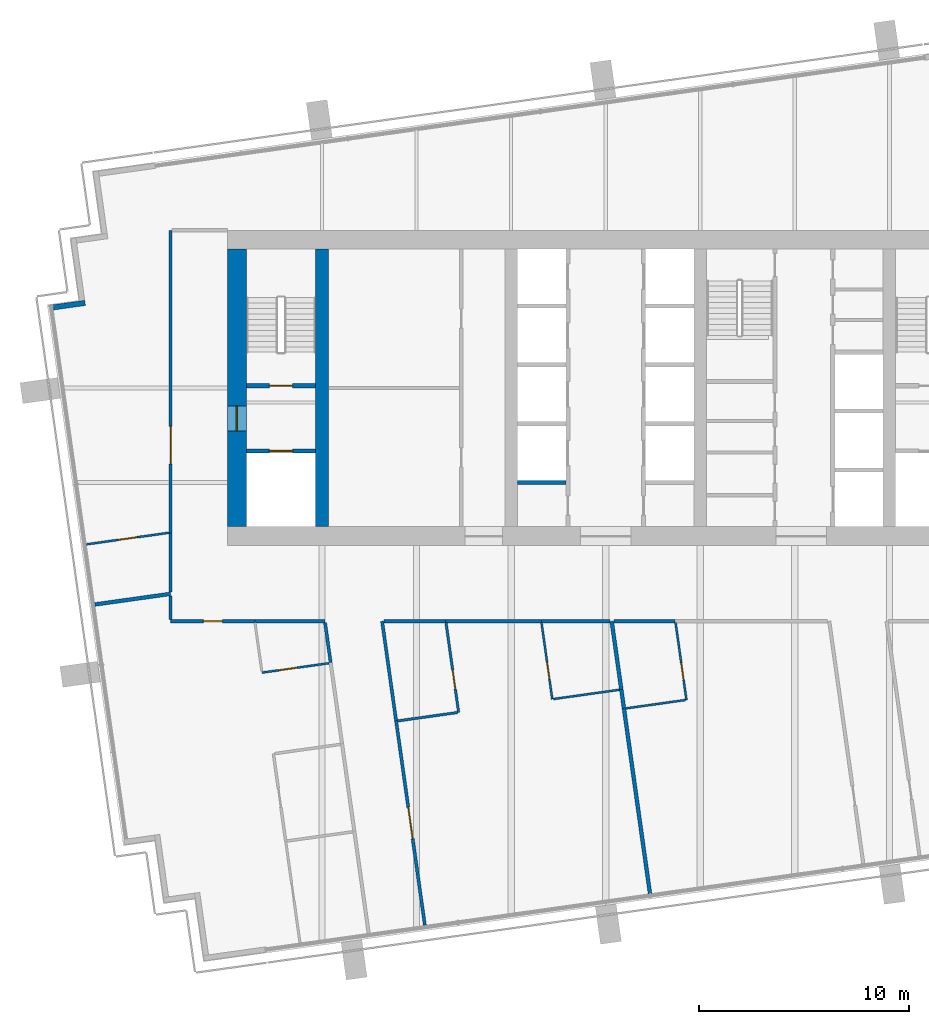
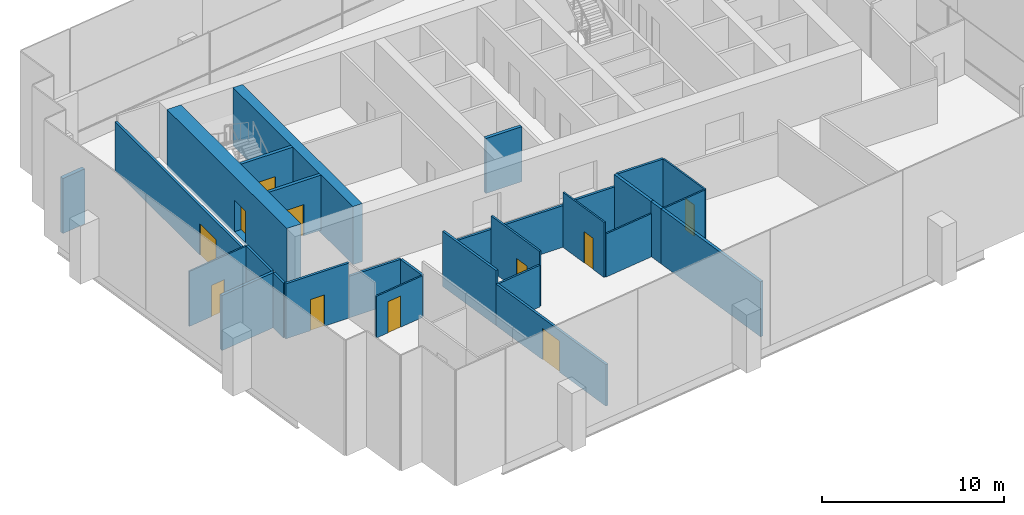
# One storey, part 8 of 15: 30 walls, 11 doors, 11 openings.
"""IFC4 building model written with IfcOpenShell, lengths in metres."""

from ifc_helpers import new_model, si_unit, direction, frame, frame_2d, origin, place, context, subcontext, project, spatial, rectangle, extrude, material, layer, layer_set, type_object, element, fill, save


model = new_model("IFC4")

# Units and contexts
model_context = context("Model", 3, precision=1e-05, world=origin(), true_north=direction((0.0, 1.0)))
body_context = subcontext(model_context, "Body", "Model", "MODEL_VIEW")
ifc_project = project(units=[si_unit("LENGTHUNIT", "METRE"), si_unit("AREAUNIT", "SQUARE_METRE"), si_unit("VOLUMEUNIT", "CUBIC_METRE"), si_unit("PLANEANGLEUNIT", "RADIAN"), si_unit("MASSUNIT", "GRAM", prefix="KILO")], contexts=[model_context])

# Site, building, storey
site_placement = place(None, origin())
site = spatial("IfcSite", under=ifc_project, at=site_placement, CompositionType="ELEMENT")
building_placement = place(site_placement, origin())
building = spatial("IfcBuilding", under=site, at=building_placement, Name="Rattan Terrace Tower", CompositionType="ELEMENT")
storey_placement = place(building_placement, frame((0.0, 0.0, 266.800048828125)))
storey = spatial("IfcBuildingStorey", under=building, at=storey_placement, Name="L61", CompositionType="ELEMENT", Elevation=266.800048828125)

# Wall, opening, door
ifc_material_1 = material(Name="Gypsum board partition")
ifc_layer_1 = layer(ifc_material_1, 0.199951171875)
ifc_layer_set_1 = layer_set([ifc_layer_1], Name="Core partition 200")
wall_type_1 = type_object("IfcWallType", Name="Core partition 200", PredefinedType="PARTITIONING", material=ifc_layer_set_1)
wall_1_placement = place(storey_placement, frame((-17.10009765625, -3.0, 0.0), z_axis=(0.0, 0.0, 1.0), x_axis=(1.0, 0.0, 0.0)))
wall_1 = element("IfcWall", 1, at=wall_1_placement, inside=storey, type_object=wall_type_1, Name="Fire-fighting lobby wall", PredefinedType="PARTITIONING", context=body_context, shape_type="SweptSolid", body=[
    extrude(rectangle(XDim=3.300048828125, YDim=0.199951171875, at=frame_2d((1.64990234375, 0.0))), origin(), (0.0, 0.0, 1.0), 3.699951171875),
])
opening_1_placement = place(wall_1_placement, frame((1.10009765625, 0.0, 0.0)))
opening_1 = element("IfcOpeningElement", 2, at=opening_1_placement, cuts=wall_1, Name="Opening L61-LD-FF1", PredefinedType="OPENING", context=body_context, shape_type="SweptSolid", body=[
    extrude(rectangle(XDim=1.10009765625, YDim=2.10009765625, at=frame_2d((0.550048828125, 1.050048828125))), frame((0.0, 0.110595703125, 0.0), z_axis=(0.0, -1.0, 0.0), x_axis=(1.0, 0.0, 0.0)), (0.0, 0.0, 1.0), 0.220947265625),
])
ifc_material_2 = material(Name="Brushed stainless landing door panel")
door_type_1 = type_object("IfcDoorType", Name="Core lift landing door 1100", OperationType="DOUBLE_DOOR_SLIDING", PredefinedType="DOOR", material=ifc_material_2)
door_1_placement = place(opening_1_placement, origin())
door_1 = element("IfcDoor", 3, at=door_1_placement, inside=storey, type_object=door_type_1, Name="Door L61-LD-FF1", OperationType="DOUBLE_DOOR_SLIDING", OverallHeight=2.10009765625, OverallWidth=1.10009765625, PredefinedType="DOOR", context=body_context, shape_type="SweptSolid", body=[
    extrude(rectangle(XDim=1.10009765625, YDim=2.10009765625, at=frame_2d((0.550048828125, 1.050048828125))), frame((0.0, 0.02490234375, 0.0), z_axis=(0.0, -1.0, 0.0), x_axis=(1.0, 0.0, 0.0)), (0.0, 0.0, 1.0), 0.050048828125),
])
fill(opening_1, door_1)

wall_2_placement = place(storey_placement, frame((-17.10009765625, 0.10009765625, 0.0), z_axis=(0.0, 0.0, 1.0), x_axis=(1.0, 0.0, 0.0)))
wall_2 = element("IfcWall", 4, at=wall_2_placement, inside=storey, type_object=wall_type_1, Name="Stair enclosure wall", PredefinedType="PARTITIONING", context=body_context, shape_type="SweptSolid", body=[
    extrude(rectangle(XDim=3.300048828125, YDim=0.199951171875, at=frame_2d((1.64990234375, 0.0))), origin(), (0.0, 0.0, 1.0), 3.699951171875),
])
opening_2_placement = place(wall_2_placement, frame((1.10009765625, 0.0, 0.0)))
opening_2 = element("IfcOpeningElement", 5, at=opening_2_placement, cuts=wall_2, Name="Opening L61-D002", PredefinedType="OPENING", context=body_context, shape_type="SweptSolid", body=[
    extrude(rectangle(XDim=1.10009765625, YDim=2.10009765625, at=frame_2d((0.550048828125, 1.050048828125))), frame((0.0, 0.110595703125, 0.0), z_axis=(0.0, -1.0, 0.0), x_axis=(1.0, 0.0, 0.0)), (0.0, 0.0, 1.0), 0.220947265625),
])
ifc_material_3 = material(Name="Hollow-metal fire door leaf")
door_type_2 = type_object("IfcDoorType", Name="Core stair door 1100", OperationType="NOTDEFINED", PredefinedType="DOOR", material=ifc_material_3)
door_2_placement = place(opening_2_placement, origin())
door_2 = element("IfcDoor", 6, at=door_2_placement, inside=storey, type_object=door_type_2, Name="Door L61-D002", OperationType="SINGLE_SWING_RIGHT", OverallHeight=2.10009765625, OverallWidth=1.10009765625, PredefinedType="DOOR", context=body_context, shape_type="SweptSolid", body=[
    extrude(rectangle(XDim=1.10009765625, YDim=2.10009765625, at=frame_2d((0.550048828125, 1.050048828125))), frame((0.0, 0.02490234375, 0.0), z_axis=(0.0, -1.0, 0.0), x_axis=(1.0, 0.0, 0.0)), (0.0, 0.0, 1.0), 0.050048828125),
])
fill(opening_2, door_2)

ifc_material_4 = material(Name="Concrete C50/60", Category="concrete")
ifc_layer_2 = layer(ifc_material_4, 0.89990234375)
ifc_layer_set_2 = layer_set([ifc_layer_2], Name="Core ring wall 900 C50/60")
wall_type_2 = type_object("IfcWallType", Name="Core ring wall 900 C50/60", PredefinedType="SHEAR", material=ifc_layer_set_2)
wall_3_placement = place(storey_placement, frame((-17.550048828125, -6.60009765625, -0.199951171875), z_axis=(0.0, 0.0, 1.0), x_axis=(0.0, 1.0, 0.0)))
wall_3 = element("IfcWall", 7, at=wall_3_placement, inside=storey, type_object=wall_type_2, Name="Rear core wall west", PredefinedType="SHEAR", context=body_context, shape_type="SweptSolid", body=[
    extrude(rectangle(XDim=13.2001953125, YDim=0.89990234375, at=frame_2d((6.60009765625, 0.0))), origin(), (0.0, 0.0, 1.0), 3.89990234375),
])
opening_3_placement = place(wall_3_placement, frame((4.550048828125, 0.0, 0.199951171875)))
opening_3 = element("IfcOpeningElement", 8, at=opening_3_placement, cuts=wall_3, Name="Opening L61-D001", PredefinedType="OPENING", context=body_context, shape_type="SweptSolid", body=[
    extrude(rectangle(XDim=1.199951171875, YDim=2.10009765625, at=frame_2d((0.60009765625, 1.050048828125))), frame((0.0, 0.46044921875, 0.0), z_axis=(0.0, -1.0, 0.0), x_axis=(1.0, 0.0, 0.0)), (0.0, 0.0, 1.0), 0.9208984375),
])
ifc_material_5 = material(Name="Hollow-metal fire door leaf")
door_type_3 = type_object("IfcDoorType", Name="Core fire-fighting lobby door 1200", OperationType="NOTDEFINED", PredefinedType="DOOR", material=ifc_material_5)
door_3_placement = place(opening_3_placement, origin())
door_3 = element("IfcDoor", 9, at=door_3_placement, inside=storey, type_object=door_type_3, Name="Door L61-D001", OperationType="SINGLE_SWING_LEFT", OverallHeight=2.10009765625, OverallWidth=1.199951171875, PredefinedType="DOOR", context=body_context, shape_type="SweptSolid", body=[
    extrude(rectangle(XDim=1.199951171875, YDim=2.10009765625, at=frame_2d((0.60009765625, 1.050048828125))), frame((0.0, 0.02490234375, 0.0), z_axis=(0.0, -1.0, 0.0), x_axis=(1.0, 0.0, 0.0)), (0.0, 0.0, 1.0), 0.050048828125),
])
fill(opening_3, door_3)

# Walls
ifc_material_6 = material(Name="Concrete C50/60", Category="concrete")
ifc_layer_3 = layer(ifc_material_6, 0.60009765625)
ifc_layer_set_3 = layer_set([ifc_layer_3], Name="Core spine wall 600 C50/60")
wall_type_3 = type_object("IfcWallType", Name="Core spine wall 600 C50/60", PredefinedType="SHEAR", material=ifc_layer_set_3)
wall_4_placement = place(storey_placement, frame((-13.5, -6.60009765625, -0.199951171875), z_axis=(0.0, 0.0, 1.0), x_axis=(0.0, 1.0, 0.0)))
element("IfcWall", 10, at=wall_4_placement, inside=storey, type_object=wall_type_3, Name="Core spine wall 1", PredefinedType="SHEAR", context=body_context, shape_type="SweptSolid", body=[
    extrude(rectangle(XDim=13.2001953125, YDim=0.60009765625, at=frame_2d((6.60009765625, 0.0))), origin(), (0.0, 0.0, 1.0), 3.89990234375),
])
ifc_material_7 = material(Name="Insulated aluminium-clad stud wall", Category="aluminium")
ifc_layer_4 = layer(ifc_material_7, 0.25)
ifc_layer_set_4 = layer_set([ifc_layer_4], Name="Facade Riser Wall 250")
wall_type_4 = type_object("IfcWallType", Name="Facade Riser Wall 250", PredefinedType="SOLIDWALL", material=ifc_layer_set_4)
wall_5_placement = place(storey_placement, frame((-24.769287109375, 4.045654296875, 0.0), z_axis=(0.0, 0.0, 1.0), x_axis=(-0.990260716096, -0.139225407725, 0.0)))
element("IfcWall", 11, at=wall_5_placement, inside=storey, type_object=wall_type_4, Name="Riser wall L61-15", PredefinedType="SOLIDWALL", context=body_context, shape_type="SweptSolid", body=[
    extrude(rectangle(XDim=1.525634765625, YDim=0.25, at=frame_2d((0.7626953125, 0.0))), origin(), (0.0, 0.0, 1.0), 3.699951171875),
])
ifc_material_8 = material(Name="Double steel stud acoustic partition, gypsum board, mineral wool, fire rated", Category="steel")
ifc_layer_5 = layer(ifc_material_8, 0.179931640625)
ifc_layer_set_5 = layer_set([ifc_layer_5], Name="Floors Acoustic Party Wall 180")
wall_type_5 = type_object("IfcWallType", Name="Floors Acoustic Party Wall 180", PredefinedType="PARTITIONING", material=ifc_layer_set_5)
wall_6_placement = place(storey_placement, frame((-24.303955078125, -10.302978515625, 0.0), z_axis=(0.0, 0.0, 1.0), x_axis=(0.990292681193, 0.138997861769, 0.0)))
element("IfcWall", 12, at=wall_6_placement, inside=storey, type_object=wall_type_5, Name="pt-L61-031", PredefinedType="PARTITIONING", context=body_context, shape_type="SweptSolid", body=[
    extrude(rectangle(XDim=3.639404296875, YDim=0.179931640625, at=frame_2d((1.81982421875, 0.0))), origin(), (0.0, 0.0, 1.0), 3.699951171875),
])
wall_7_placement = place(storey_placement, frame((0.867919921875, -15.239013671875, 0.0), z_axis=(0.0, 0.0, 1.0), x_axis=(0.139233409815, -0.990259591012, 0.0)))
element("IfcWall", 13, at=wall_7_placement, inside=storey, type_object=wall_type_5, Name="pt-L61-041", PredefinedType="PARTITIONING", context=body_context, shape_type="SweptSolid", body=[
    extrude(rectangle(XDim=8.90576171875, YDim=0.179931640625, at=frame_2d((4.452880859375, 0.0))), origin(), (0.0, 0.0, 1.0), 3.699951171875),
])
wall_8_placement = place(storey_placement, frame((0.742919921875, -14.34912109375, 0.0), z_axis=(0.0, 0.0, 1.0), x_axis=(0.139100809785, -0.990278225913, 0.0)))
element("IfcWall", 14, at=wall_8_placement, inside=storey, type_object=wall_type_5, Name="pt-L61-042", PredefinedType="PARTITIONING", context=body_context, shape_type="SweptSolid", body=[
    extrude(rectangle(XDim=0.898681640625, YDim=0.179931640625, at=frame_2d((0.44921875, 0.0))), origin(), (0.0, 0.0, 1.0), 3.699951171875),
])
wall_9_placement = place(storey_placement, frame((0.287109375, -11.10009765625, 0.0), z_axis=(0.0, 0.0, 1.0), x_axis=(0.13898222456, -0.990294875911, 0.0)))
element("IfcWall", 15, at=wall_9_placement, inside=storey, type_object=wall_type_5, Name="pt-L61-043", PredefinedType="PARTITIONING", context=body_context, shape_type="SweptSolid", body=[
    extrude(rectangle(XDim=3.279541015625, YDim=0.179931640625, at=frame_2d((1.6396484375, 0.0))), origin(), (0.0, 0.0, 1.0), 3.699951171875),
])

# Wall, opening, door
ifc_material_9 = material(Name="Gypsum board partition on steel studs", Category="steel")
ifc_layer_6 = layer(ifc_material_9, 0.10009765625)
ifc_layer_set_6 = layer_set([ifc_layer_6], Name="Floors Partition 100")
wall_type_6 = type_object("IfcWallType", Name="Floors Partition 100", PredefinedType="PARTITIONING", material=ifc_layer_set_6)
wall_10_placement = place(storey_placement, frame((-16.35205078125, -13.544921875, 0.0), z_axis=(0.0, 0.0, 1.0), x_axis=(0.990264894561, 0.13919568456, 0.0)))
wall_10 = element("IfcWall", 16, at=wall_10_placement, inside=storey, type_object=wall_type_6, Name="pt-L61-030", PredefinedType="PARTITIONING", context=body_context, shape_type="SweptSolid", body=[
    extrude(rectangle(XDim=3.2255859375, YDim=0.10009765625, at=frame_2d((1.61279296875, 0.0))), origin(), (0.0, 0.0, 1.0), 2.800048828125),
])
opening_4_placement = place(wall_10_placement, frame((0.798095703125, 0.0, 0.0)))
opening_4 = element("IfcOpeningElement", 17, at=opening_4_placement, cuts=wall_10, Name="Opening L61-D103", PredefinedType="OPENING", context=body_context, shape_type="SweptSolid", body=[
    extrude(rectangle(XDim=0.89990234375, YDim=2.10009765625, at=frame_2d((0.449951171875, 1.050048828125))), frame((0.0, 0.060546875, 0.0), z_axis=(0.0, -1.0, 0.0), x_axis=(1.0, 0.0, 0.0)), (0.0, 0.0, 1.0), 0.12109375),
])
ifc_material_10 = material(Name="Solid core timber door, painted", Category="wood")
door_type_4 = type_object("IfcDoorType", Name="Floors Door 900x2100", OperationType="NOTDEFINED", PredefinedType="DOOR", material=ifc_material_10)
door_4_placement = place(opening_4_placement, origin())
door_4 = element("IfcDoor", 18, at=door_4_placement, inside=storey, type_object=door_type_4, Name="d-L61-103", OperationType="SINGLE_SWING_LEFT", OverallHeight=2.10009765625, OverallWidth=0.89990234375, PredefinedType="DOOR", context=body_context, shape_type="SweptSolid", body=[
    extrude(rectangle(XDim=0.89990234375, YDim=2.10009765625, at=frame_2d((0.449951171875, 1.050048828125))), frame((0.0, 0.02490234375, 0.0), z_axis=(0.0, -1.0, 0.0), x_axis=(1.0, 0.0, 0.0)), (0.0, 0.0, 1.0), 0.050048828125),
])
fill(opening_4, door_4)

wall_11_placement = place(storey_placement, frame((-20.76806640625, -6.889892578125, 0.0), z_axis=(0.0, 0.0, 1.0), x_axis=(-0.990313393589, -0.138850215981, 0.0)))
wall_11 = element("IfcWall", 19, at=wall_11_placement, inside=storey, type_object=wall_type_6, Name="pt-L61-035", PredefinedType="PARTITIONING", context=body_context, shape_type="SweptSolid", body=[
    extrude(rectangle(XDim=3.9755859375, YDim=0.10009765625, at=frame_2d((1.98779296875, 0.0))), origin(), (0.0, 0.0, 1.0), 3.699951171875),
])
opening_5_placement = place(wall_11_placement, frame((1.5380859375, 0.0, 0.0)))
opening_5 = element("IfcOpeningElement", 20, at=opening_5_placement, cuts=wall_11, Name="Opening L61-D107", PredefinedType="OPENING", context=body_context, shape_type="SweptSolid", body=[
    extrude(rectangle(XDim=0.89990234375, YDim=2.10009765625, at=frame_2d((0.449951171875, 1.050048828125))), frame((0.0, 0.060546875, 0.0), z_axis=(0.0, -1.0, 0.0), x_axis=(1.0, 0.0, 0.0)), (0.0, 0.0, 1.0), 0.12109375),
])
door_5_placement = place(opening_5_placement, origin())
door_5 = element("IfcDoor", 21, at=door_5_placement, inside=storey, type_object=door_type_4, Name="d-L61-107", OperationType="SINGLE_SWING_RIGHT", OverallHeight=2.10009765625, OverallWidth=0.89990234375, PredefinedType="DOOR", context=body_context, shape_type="SweptSolid", body=[
    extrude(rectangle(XDim=0.89990234375, YDim=2.10009765625, at=frame_2d((0.449951171875, 1.050048828125))), frame((0.0, 0.02490234375, 0.0), z_axis=(0.0, -1.0, 0.0), x_axis=(1.0, 0.0, 0.0)), (0.0, 0.0, 1.0), 0.050048828125),
])
fill(opening_5, door_5)

wall_12_placement = place(storey_placement, frame((-3.052978515625, -11.16796875, 0.0), z_axis=(0.0, 0.0, 1.0), x_axis=(0.139199908751, -0.990264300782, 0.0)))
wall_12 = element("IfcWall", 22, at=wall_12_placement, inside=storey, type_object=wall_type_6, Name="pt-L61-039", PredefinedType="PARTITIONING", context=body_context, shape_type="SweptSolid", body=[
    extrude(rectangle(XDim=3.677978515625, YDim=0.10009765625, at=frame_2d((1.8388671875, 0.0))), origin(), (0.0, 0.0, 1.0), 3.699951171875),
])
opening_6_placement = place(wall_12_placement, frame((1.9150390625, 0.0, 0.0)))
opening_6 = element("IfcOpeningElement", 23, at=opening_6_placement, cuts=wall_12, Name="Opening L61-D111", PredefinedType="OPENING", context=body_context, shape_type="SweptSolid", body=[
    extrude(rectangle(XDim=0.800048828125, YDim=2.10009765625, at=frame_2d((0.39990234375, 1.050048828125))), frame((0.0, 0.060546875, 0.0), z_axis=(0.0, -1.0, 0.0), x_axis=(1.0, 0.0, 0.0)), (0.0, 0.0, 1.0), 0.12109375),
])
ifc_material_11 = material(Name="Solid core timber door, painted", Category="wood")
door_type_5 = type_object("IfcDoorType", Name="Floors Store Door 800x2100", OperationType="NOTDEFINED", PredefinedType="DOOR", material=ifc_material_11)
door_6_placement = place(opening_6_placement, origin())
door_6 = element("IfcDoor", 24, at=door_6_placement, inside=storey, type_object=door_type_5, Name="d-L61-111", OperationType="SINGLE_SWING_RIGHT", OverallHeight=2.10009765625, OverallWidth=0.800048828125, PredefinedType="DOOR", context=body_context, shape_type="SweptSolid", body=[
    extrude(rectangle(XDim=0.800048828125, YDim=2.10009765625, at=frame_2d((0.39990234375, 1.050048828125))), frame((0.0, 0.02490234375, 0.0), z_axis=(0.0, -1.0, 0.0), x_axis=(1.0, 0.0, 0.0)), (0.0, 0.0, 1.0), 0.050048828125),
])
fill(opening_6, door_6)

# Walls
wall_13_placement = place(storey_placement, frame((-2.491943359375, -14.802978515625, 0.0), z_axis=(0.0, 0.0, 1.0), x_axis=(0.990278754473, 0.139097046841, 0.0)))
element("IfcWall", 25, at=wall_13_placement, inside=storey, type_object=wall_type_6, Name="pt-L61-040", PredefinedType="PARTITIONING", context=body_context, shape_type="SweptSolid", body=[
    extrude(rectangle(XDim=3.1767578125, YDim=0.10009765625, at=frame_2d((1.58837890625, 0.0))), origin(), (0.0, 0.0, 1.0), 2.89990234375),
])
wall_14_placement = place(storey_placement, frame((0.9599609375, -15.2470703125, 0.0), z_axis=(0.0, 0.0, 1.0), x_axis=(0.990271288443, 0.139150189669, 0.0)))
element("IfcWall", 26, at=wall_14_placement, inside=storey, type_object=wall_type_6, Name="pt-L61-044", PredefinedType="PARTITIONING", context=body_context, shape_type="SweptSolid", body=[
    extrude(rectangle(XDim=2.85986328125, YDim=0.10009765625, at=frame_2d((1.429931640625, 0.0))), origin(), (0.0, 0.0, 1.0), 3.699951171875),
])

# Wall, opening, door
wall_15_placement = place(storey_placement, frame((3.842041015625, -14.842041015625, 0.0), z_axis=(0.0, 0.0, 1.0), x_axis=(-0.139108634852, 0.990277126722, 0.0)))
wall_15 = element("IfcWall", 27, at=wall_15_placement, inside=storey, type_object=wall_type_6, Name="pt-L61-045", PredefinedType="PARTITIONING", context=body_context, shape_type="SweptSolid", body=[
    extrude(rectangle(XDim=3.710205078125, YDim=0.10009765625, at=frame_2d((1.85498046875, 0.0))), origin(), (0.0, 0.0, 1.0), 3.699951171875),
])
opening_7_placement = place(wall_15_placement, frame((0.972900390625, 0.0, 0.0)))
opening_7 = element("IfcOpeningElement", 28, at=opening_7_placement, cuts=wall_15, Name="Opening L61-D113", PredefinedType="OPENING", context=body_context, shape_type="SweptSolid", body=[
    extrude(rectangle(XDim=0.800048828125, YDim=2.10009765625, at=frame_2d((0.39990234375, 1.050048828125))), frame((0.0, 0.060546875, 0.0), z_axis=(0.0, -1.0, 0.0), x_axis=(1.0, 0.0, 0.0)), (0.0, 0.0, 1.0), 0.12109375),
])
door_7_placement = place(opening_7_placement, origin())
door_7 = element("IfcDoor", 29, at=door_7_placement, inside=storey, type_object=door_type_5, Name="d-L61-113", OperationType="SINGLE_SWING_LEFT", OverallHeight=2.10009765625, OverallWidth=0.800048828125, PredefinedType="DOOR", context=body_context, shape_type="SweptSolid", body=[
    extrude(rectangle(XDim=0.800048828125, YDim=2.10009765625, at=frame_2d((0.39990234375, 1.050048828125))), frame((0.0, 0.02490234375, 0.0), z_axis=(0.0, -1.0, 0.0), x_axis=(1.0, 0.0, 0.0)), (0.0, 0.0, 1.0), 0.050048828125),
])
fill(opening_7, door_7)

# Wall
ifc_material_12 = material(Name="Gypsum board partition on steel studs, fire rated", Category="steel")
ifc_layer_7 = layer(ifc_material_12, 0.14990234375)
ifc_layer_set_7 = layer_set([ifc_layer_7], Name="Floors Tenancy Wall 150")
wall_type_7 = type_object("IfcWallType", Name="Floors Tenancy Wall 150", PredefinedType="PARTITIONING", material=ifc_layer_set_7)
wall_16_placement = place(storey_placement, frame((-20.699951171875, -11.02490234375, 0.0), z_axis=(0.0, 0.0, 1.0), x_axis=(0.0, 1.0, 0.0)))
element("IfcWall", 30, at=wall_16_placement, inside=storey, type_object=wall_type_7, Name="pt-L61-001", PredefinedType="PARTITIONING", context=body_context, shape_type="SweptSolid", body=[
    extrude(rectangle(XDim=1.126953125, YDim=0.14990234375, at=frame_2d((0.5634765625, 0.0))), origin(), (0.0, 0.0, 1.0), 3.699951171875),
])

# Wall, opening, door
wall_17_placement = place(storey_placement, frame((-16.676025390625, -11.10009765625, 0.0), z_axis=(0.0, 0.0, 1.0), x_axis=(-1.0, 0.0, 0.0)))
wall_17 = element("IfcWall", 31, at=wall_17_placement, inside=storey, type_object=wall_type_7, Name="pt-L61-002", PredefinedType="PARTITIONING", context=body_context, shape_type="SweptSolid", body=[
    extrude(rectangle(XDim=4.02392578125, YDim=0.14990234375, at=frame_2d((2.011962890625, 0.0))), origin(), (0.0, 0.0, 1.0), 3.699951171875),
])
opening_8_placement = place(wall_17_placement, frame((1.56201171875, 0.0, 0.0)))
opening_8 = element("IfcOpeningElement", 32, at=opening_8_placement, cuts=wall_17, Name="Opening L61-D100", PredefinedType="OPENING", context=body_context, shape_type="SweptSolid", body=[
    extrude(rectangle(XDim=0.89990234375, YDim=2.10009765625, at=frame_2d((0.449951171875, 1.050048828125))), frame((0.0, 0.08544921875, 0.0), z_axis=(0.0, -1.0, 0.0), x_axis=(1.0, 0.0, 0.0)), (0.0, 0.0, 1.0), 0.1708984375),
])
ifc_material_13 = material(Name="Steel fire door set", Category="steel")
door_type_6 = type_object("IfcDoorType", Name="Floors Fire Door FD30S 900x2100", OperationType="NOTDEFINED", PredefinedType="DOOR", material=ifc_material_13)
door_8_placement = place(opening_8_placement, origin())
door_8 = element("IfcDoor", 33, at=door_8_placement, inside=storey, type_object=door_type_6, Name="d-L61-100", OperationType="SINGLE_SWING_LEFT", OverallHeight=2.10009765625, OverallWidth=0.89990234375, PredefinedType="DOOR", context=body_context, shape_type="SweptSolid", body=[
    extrude(rectangle(XDim=0.89990234375, YDim=2.10009765625, at=frame_2d((0.449951171875, 1.050048828125))), frame((0.0, 0.02490234375, 0.0), z_axis=(0.0, -1.0, 0.0), x_axis=(1.0, 0.0, 0.0)), (0.0, 0.0, 1.0), 0.050048828125),
])
fill(opening_8, door_8)

# Walls
wall_18_placement = place(storey_placement, frame((-13.363037109375, -11.10009765625, 0.0), z_axis=(0.0, 0.0, 1.0), x_axis=(-1.0, 0.0, 0.0)))
element("IfcWall", 34, at=wall_18_placement, inside=storey, type_object=wall_type_7, Name="pt-L61-006", PredefinedType="PARTITIONING", context=body_context, shape_type="SweptSolid", body=[
    extrude(rectangle(XDim=3.31298828125, YDim=0.14990234375, at=frame_2d((1.656494140625, 0.0))), origin(), (0.0, 0.0, 1.0), 2.800048828125),
])
wall_19_placement = place(storey_placement, frame((-13.0859375, -13.06494140625, 0.0), z_axis=(0.0, 0.0, 1.0), x_axis=(-0.139292033523, 0.990251346577, 0.0)))
element("IfcWall", 35, at=wall_19_placement, inside=storey, type_object=wall_type_7, Name="pt-L61-007", PredefinedType="PARTITIONING", context=body_context, shape_type="SweptSolid", body=[
    extrude(rectangle(XDim=1.910400390625, YDim=0.14990234375, at=frame_2d((0.955078125, 0.0))), origin(), (0.0, 0.0, 1.0), 2.800048828125),
])

# Wall, opening, door
wall_20_placement = place(storey_placement, frame((-20.699951171875, -6.89990234375, 0.0), z_axis=(0.0, 0.0, 1.0), x_axis=(0.0, 1.0, 0.0)))
wall_20 = element("IfcWall", 36, at=wall_20_placement, inside=storey, type_object=wall_type_7, Name="pt-L61-012", PredefinedType="PARTITIONING", context=body_context, shape_type="SweptSolid", body=[
    extrude(rectangle(XDim=14.39990234375, YDim=0.14990234375, at=frame_2d((7.199951171875, 0.0))), origin(), (0.0, 0.0, 1.0), 3.300048828125),
])
opening_9_placement = place(wall_20_placement, frame((3.27490234375, 0.0, 0.0)))
opening_9 = element("IfcOpeningElement", 37, at=opening_9_placement, cuts=wall_20, Name="Opening L61-D106", PredefinedType="OPENING", context=body_context, shape_type="SweptSolid", body=[
    extrude(rectangle(XDim=1.800048828125, YDim=2.10009765625, at=frame_2d((0.89990234375, 1.050048828125))), frame((0.0, 0.08544921875, 0.0), z_axis=(0.0, -1.0, 0.0), x_axis=(1.0, 0.0, 0.0)), (0.0, 0.0, 1.0), 0.1708984375),
])
ifc_material_14 = material(Name="Steel fire door set", Category="steel")
door_type_7 = type_object("IfcDoorType", Name="Floors Fire Door Pair FD30S 1800x2100", OperationType="NOTDEFINED", PredefinedType="DOOR", material=ifc_material_14)
door_9_placement = place(opening_9_placement, origin())
door_9 = element("IfcDoor", 38, at=door_9_placement, inside=storey, type_object=door_type_7, Name="d-L61-106", OperationType="DOUBLE_DOOR_SINGLE_SWING", OverallHeight=2.10009765625, OverallWidth=1.800048828125, PredefinedType="DOOR", context=body_context, shape_type="SweptSolid", body=[
    extrude(rectangle(XDim=1.800048828125, YDim=2.10009765625, at=frame_2d((0.89990234375, 1.050048828125))), frame((0.0, 0.02490234375, 0.0), z_axis=(0.0, -1.0, 0.0), x_axis=(1.0, 0.0, 0.0)), (0.0, 0.0, 1.0), 0.050048828125),
])
fill(opening_9, door_9)

# Wall
wall_21_placement = place(storey_placement, frame((-20.698974609375, -9.7080078125, 0.0), z_axis=(0.0, 0.0, 1.0), x_axis=(0.0, 1.0, 0.0)))
element("IfcWall", 39, at=wall_21_placement, inside=storey, type_object=wall_type_7, Name="pt-L61-016", PredefinedType="PARTITIONING", context=body_context, shape_type="SweptSolid", body=[
    extrude(rectangle(XDim=2.80810546875, YDim=0.14990234375, at=frame_2d((1.404052734375, 0.0))), origin(), (0.0, 0.0, 1.0), 3.699951171875),
])

# Wall, opening, door
wall_22_placement = place(storey_placement, frame((-9.971923828125, -15.8330078125, 0.0), z_axis=(0.0, 0.0, 1.0), x_axis=(0.139205343882, -0.990263536759, 0.0)))
wall_22 = element("IfcWall", 40, at=wall_22_placement, inside=storey, type_object=wall_type_7, Name="pt-L61-018", PredefinedType="PARTITIONING", context=body_context, shape_type="SweptSolid", body=[
    extrude(rectangle(XDim=9.82666015625, YDim=0.14990234375, at=frame_2d((4.913330078125, 0.0))), origin(), (0.0, 0.0, 1.0), 2.800048828125),
])
opening_10_placement = place(wall_22_placement, frame((4.1630859375, 0.0, 0.0)))
opening_10 = element("IfcOpeningElement", 41, at=opening_10_placement, cuts=wall_22, Name="Opening L61-D109", PredefinedType="OPENING", context=body_context, shape_type="SweptSolid", body=[
    extrude(rectangle(XDim=1.5, YDim=2.10009765625, at=frame_2d((0.75, 1.050048828125))), frame((0.0, 0.08544921875, 0.0), z_axis=(0.0, -1.0, 0.0), x_axis=(1.0, 0.0, 0.0)), (0.0, 0.0, 1.0), 0.1708984375),
])
ifc_material_15 = material(Name="Steel fire door set", Category="steel")
door_type_8 = type_object("IfcDoorType", Name="Floors Unit Door Pair FD30S 1500x2100", OperationType="NOTDEFINED", PredefinedType="DOOR", material=ifc_material_15)
door_10_placement = place(opening_10_placement, origin())
door_10 = element("IfcDoor", 42, at=door_10_placement, inside=storey, type_object=door_type_8, Name="d-L61-109", OperationType="DOUBLE_DOOR_SINGLE_SWING", OverallHeight=2.10009765625, OverallWidth=1.5, PredefinedType="DOOR", context=body_context, shape_type="SweptSolid", body=[
    extrude(rectangle(XDim=1.5, YDim=2.10009765625, at=frame_2d((0.75, 1.050048828125))), frame((0.0, 0.02490234375, 0.0), z_axis=(0.0, -1.0, 0.0), x_axis=(1.0, 0.0, 0.0)), (0.0, 0.0, 1.0), 0.050048828125),
])
fill(opening_10, door_10)

# Walls
wall_23_placement = place(storey_placement, frame((-3.04296875, -11.10009765625, 0.0), z_axis=(0.0, 0.0, 1.0), x_axis=(-1.0, 0.0, 0.0)))
element("IfcWall", 43, at=wall_23_placement, inside=storey, type_object=wall_type_7, Name="pt-L61-019", PredefinedType="PARTITIONING", context=body_context, shape_type="SweptSolid", body=[
    extrude(rectangle(XDim=4.583984375, YDim=0.14990234375, at=frame_2d((2.2919921875, 0.0))), origin(), (0.0, 0.0, 1.0), 2.800048828125),
])
wall_24_placement = place(storey_placement, frame((-10.636962890625, -11.10009765625, 0.0), z_axis=(0.0, 0.0, 1.0), x_axis=(0.139146821365, -0.990271761742, 0.0)))
element("IfcWall", 44, at=wall_24_placement, inside=storey, type_object=wall_type_7, Name="pt-L61-020", PredefinedType="PARTITIONING", context=body_context, shape_type="SweptSolid", body=[
    extrude(rectangle(XDim=4.779296875, YDim=0.14990234375, at=frame_2d((2.3896484375, 0.0))), origin(), (0.0, 0.0, 1.0), 3.699951171875),
])
wall_25_placement = place(storey_placement, frame((-7.626953125, -11.09912109375, 0.0), z_axis=(0.0, 0.0, 1.0), x_axis=(-1.0, 0.0, 0.0)))
element("IfcWall", 45, at=wall_25_placement, inside=storey, type_object=wall_type_7, Name="pt-L61-021", PredefinedType="PARTITIONING", context=body_context, shape_type="SweptSolid", body=[
    extrude(rectangle(XDim=2.924072265625, YDim=0.14990234375, at=frame_2d((1.4619140625, 0.0))), origin(), (0.0, 0.0, 1.0), 2.800048828125),
])
wall_26_placement = place(storey_placement, frame((0.197998046875, -11.09912109375, 0.0), z_axis=(0.0, 0.0, 1.0), x_axis=(-1.0, 0.0, 0.0)))
element("IfcWall", 46, at=wall_26_placement, inside=storey, type_object=wall_type_7, Name="pt-L61-022", PredefinedType="PARTITIONING", context=body_context, shape_type="SweptSolid", body=[
    extrude(rectangle(XDim=3.240966796875, YDim=0.14990234375, at=frame_2d((1.62060546875, 0.0))), origin(), (0.0, 0.0, 1.0), 2.89990234375),
])
wall_27_placement = place(storey_placement, frame((3.2958984375, -11.10009765625, 0.0), z_axis=(0.0, 0.0, 1.0), x_axis=(-1.0, 0.0, 0.0)))
element("IfcWall", 47, at=wall_27_placement, inside=storey, type_object=wall_type_7, Name="pt-L61-025", PredefinedType="PARTITIONING", context=body_context, shape_type="SweptSolid", body=[
    extrude(rectangle(XDim=2.907958984375, YDim=0.14990234375, at=frame_2d((1.4541015625, 0.0))), origin(), (0.0, 0.0, 1.0), 3.699951171875),
])
ifc_material_16 = material(Name="Moisture resistant gypsum board partition on steel studs with service cavity", Category="steel")
ifc_layer_8 = layer(ifc_material_16, 0.1201171875)
ifc_layer_set_8 = layer_set([ifc_layer_8], Name="Floors Wet Wall 120")
wall_type_8 = type_object("IfcWallType", Name="Floors Wet Wall 120", PredefinedType="PARTITIONING", material=ifc_layer_set_8)
wall_28_placement = place(storey_placement, frame((-9.89501953125, -15.843017578125, 0.0), z_axis=(0.0, 0.0, 1.0), x_axis=(0.990265570358, 0.139190876728, 0.0)))
element("IfcWall", 48, at=wall_28_placement, inside=storey, type_object=wall_type_8, Name="pt-L61-037", PredefinedType="PARTITIONING", context=body_context, shape_type="SweptSolid", body=[
    extrude(rectangle(XDim=2.865966796875, YDim=0.1201171875, at=frame_2d((1.43310546875, 0.0))), origin(), (0.0, 0.0, 1.0), 2.800048828125),
])

# Wall, opening, door
wall_29_placement = place(storey_placement, frame((-6.998046875, -15.43603515625, 0.0), z_axis=(0.0, 0.0, 1.0), x_axis=(-0.139145497857, 0.990271947712, 0.0)))
wall_29 = element("IfcWall", 49, at=wall_29_placement, inside=storey, type_object=wall_type_8, Name="pt-L61-038", PredefinedType="PARTITIONING", context=body_context, shape_type="SweptSolid", body=[
    extrude(rectangle(XDim=4.31103515625, YDim=0.1201171875, at=frame_2d((2.155517578125, 0.0))), origin(), (0.0, 0.0, 1.0), 3.699951171875),
])
opening_11_placement = place(wall_29_placement, frame((1.123046875, 0.0, 0.0)))
opening_11 = element("IfcOpeningElement", 50, at=opening_11_placement, cuts=wall_29, Name="Opening L61-D110", PredefinedType="OPENING", context=body_context, shape_type="SweptSolid", body=[
    extrude(rectangle(XDim=0.89990234375, YDim=2.10009765625, at=frame_2d((0.449951171875, 1.050048828125))), frame((0.0, 0.070556640625, 0.0), z_axis=(0.0, -1.0, 0.0), x_axis=(1.0, 0.0, 0.0)), (0.0, 0.0, 1.0), 0.14111328125),
])
door_11_placement = place(opening_11_placement, origin())
door_11 = element("IfcDoor", 51, at=door_11_placement, inside=storey, type_object=door_type_4, Name="d-L61-110", OperationType="SINGLE_SWING_LEFT", OverallHeight=2.10009765625, OverallWidth=0.89990234375, PredefinedType="DOOR", context=body_context, shape_type="SweptSolid", body=[
    extrude(rectangle(XDim=0.89990234375, YDim=2.10009765625, at=frame_2d((0.449951171875, 1.050048828125))), frame((0.0, 0.02490234375, 0.0), z_axis=(0.0, -1.0, 0.0), x_axis=(1.0, 0.0, 0.0)), (0.0, 0.0, 1.0), 0.050048828125),
])
fill(opening_11, door_11)

# Wall
ifc_material_17 = material(Name="Gypsum shaft wall system")
ifc_layer_9 = layer(ifc_material_17, 0.199951171875)
ifc_layer_set_9 = layer_set([ifc_layer_9], Name="Lift shaft wall 200")
wall_type_9 = type_object("IfcWallType", Name="Lift shaft wall 200", PredefinedType="PARTITIONING", material=ifc_layer_set_9)
wall_30_placement = place(storey_placement, frame((-4.199951171875, -4.5, 0.0), z_axis=(0.0, 0.0, 1.0), x_axis=(1.0, 0.0, 0.0)))
element("IfcWall", 52, at=wall_30_placement, inside=storey, type_object=wall_type_9, Name="Lift shaft wall", PredefinedType="PARTITIONING", context=body_context, shape_type="SweptSolid", body=[
    extrude(rectangle(XDim=2.300048828125, YDim=0.199951171875, at=frame_2d((1.14990234375, 0.0))), origin(), (0.0, 0.0, 1.0), 3.699951171875),
])

save(model, "model.ifc")
